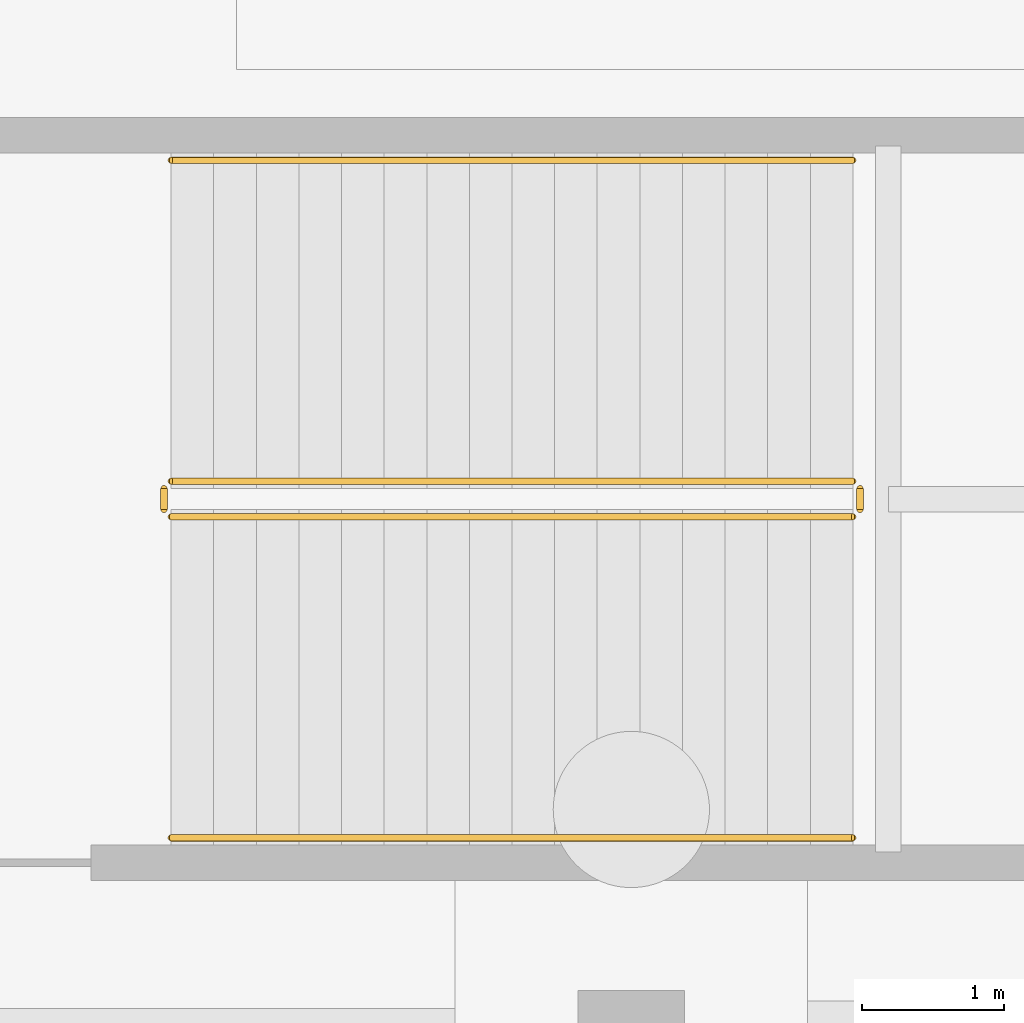
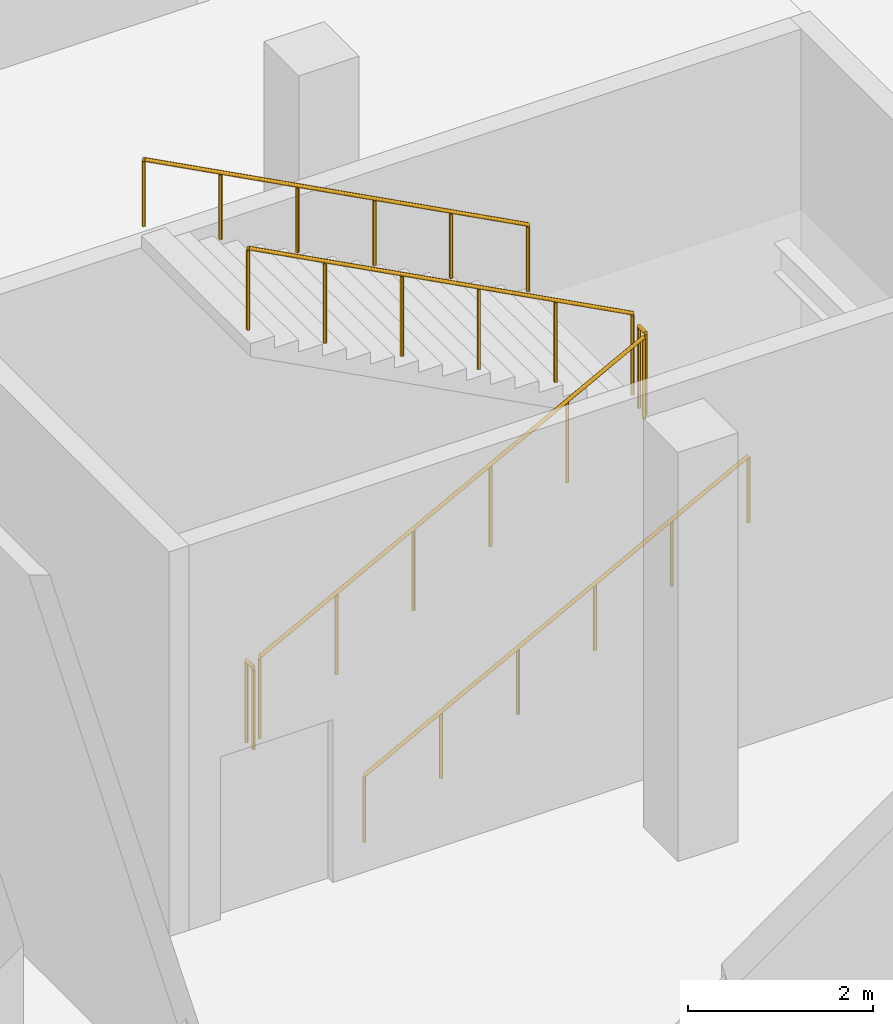
# One storey, part 84 of 89: 6 railings.
"""IFC4 building model written with IfcOpenShell, lengths in metres."""

from ifc_helpers import new_model, si_unit, direction, frame, origin, origin_2d, place, context, subcontext, project, spatial, circle, extrude, material, type_object, element, save


model = new_model("IFC4")

# Units and contexts
model_context = context("Model", 3, precision=1e-05, world=origin(), true_north=direction((0.0, 1.0)))
body_context = subcontext(model_context, "Body", "Model", "MODEL_VIEW")
ifc_project = project(units=[si_unit("LENGTHUNIT", "METRE"), si_unit("AREAUNIT", "SQUARE_METRE"), si_unit("VOLUMEUNIT", "CUBIC_METRE"), si_unit("PLANEANGLEUNIT", "RADIAN"), si_unit("MASSUNIT", "GRAM", prefix="KILO")], contexts=[model_context])

# Site, building, storey
site_placement = place(None, origin())
site = spatial("IfcSite", under=ifc_project, at=site_placement, CompositionType="ELEMENT")
building_placement = place(site_placement, origin())
building = spatial("IfcBuilding", under=site, at=building_placement, Name="Koshinbarg Plaza Stadium", CompositionType="ELEMENT")
storey_placement = place(building_placement, origin())
storey = spatial("IfcBuildingStorey", under=building, at=storey_placement, Name="L00", CompositionType="ELEMENT", Elevation=0.0)

# Railings
ifc_material_1 = material(Name="Galvanized painted steel guardrail", Category="steel")
railing_type_1 = type_object("IfcRailingType", Name="RL-GUARD-1100", PredefinedType="GUARDRAIL", material=ifc_material_1)
railing_1_placement = place(storey_placement, frame((60.360107421875, 139.31005859375, 0.158935546875)))
element("IfcRailing", 1, at=railing_1_placement, inside=storey, type_object=railing_type_1, Name="L00 C11 stair guard 1", PredefinedType="GUARDRAIL", context=body_context, shape_type="SweptSolid", body=[
    extrude(circle(Radius=0.02392578125, at=origin_2d()), frame((0.0, 0.0, 1.076171875), z_axis=(0.883792290195, 0.0, 0.467879458614), x_axis=(0.0, 1.0, 0.0)), (0.0, 0.0, 1.0), 5.430908203125),
    extrude(circle(Radius=0.02099609375, at=origin_2d()), origin(), (0.0, 0.0, 1.0), 1.052001953125),
    extrude(circle(Radius=0.02099609375, at=origin_2d()), frame((0.9599609375, 0.0, 0.50830078125)), (0.0, 0.0, 1.0), 1.052001953125),
    extrude(circle(Radius=0.02099609375, at=origin_2d()), frame((1.919921875, 0.0, 1.016357421875)), (0.0, 0.0, 1.0), 1.052001953125),
    extrude(circle(Radius=0.02099609375, at=origin_2d()), frame((2.8798828125, 0.0, 1.524658203125)), (0.0, 0.0, 1.0), 1.052001953125),
    extrude(circle(Radius=0.02099609375, at=origin_2d()), frame((3.83984375, 0.0, 2.03271484375)), (0.0, 0.0, 1.0), 1.052001953125),
    extrude(circle(Radius=0.02099609375, at=origin_2d()), frame((4.7998046875, 0.0, 2.541015625)), (0.0, 0.0, 1.0), 1.052001953125),
])
railing_2_placement = place(storey_placement, frame((65.2099609375, 139.360107421875, 2.699951171875)))
element("IfcRailing", 2, at=railing_2_placement, inside=storey, type_object=railing_type_1, Name="L00 C11 stair guard 2", PredefinedType="GUARDRAIL", context=body_context, shape_type="SweptSolid", body=[
    extrude(circle(Radius=0.02392578125, at=origin_2d()), frame((0.0, 0.0, 1.076171875), z_axis=(0.0, 1.0, 0.0), x_axis=(-1.0, 0.0, 0.0)), (0.0, 0.0, 1.0), 0.14990234375),
    extrude(circle(Radius=0.02099609375, at=origin_2d()), origin(), (0.0, 0.0, 1.0), 1.052001953125),
    extrude(circle(Radius=0.02099609375, at=origin_2d()), frame((0.0, 0.14990234375, 0.0)), (0.0, 0.0, 1.0), 1.052001953125),
])
railing_3_placement = place(storey_placement, frame((65.159912109375, 139.56005859375, 2.85888671875)))
element("IfcRailing", 3, at=railing_3_placement, inside=storey, type_object=railing_type_1, Name="L00 C11 stair guard 3", PredefinedType="GUARDRAIL", context=body_context, shape_type="SweptSolid", body=[
    extrude(circle(Radius=0.02392578125, at=origin_2d()), frame((0.0, 0.0, 1.076171875), z_axis=(-0.883792290195, 0.0, 0.467879458614), x_axis=(0.0, -1.0, 0.0)), (0.0, 0.0, 1.0), 5.430908203125),
    extrude(circle(Radius=0.02099609375, at=origin_2d()), origin(), (0.0, 0.0, 1.0), 1.052001953125),
    extrude(circle(Radius=0.02099609375, at=origin_2d()), frame((-0.9599609375, 0.0, 0.50830078125)), (0.0, 0.0, 1.0), 1.052001953125),
    extrude(circle(Radius=0.02099609375, at=origin_2d()), frame((-1.919921875, 0.0, 1.016357421875)), (0.0, 0.0, 1.0), 1.052001953125),
    extrude(circle(Radius=0.02099609375, at=origin_2d()), frame((-2.8798828125, 0.0, 1.524658203125)), (0.0, 0.0, 1.0), 1.052001953125),
    extrude(circle(Radius=0.02099609375, at=origin_2d()), frame((-3.83984375, 0.0, 2.03271484375)), (0.0, 0.0, 1.0), 1.052001953125),
    extrude(circle(Radius=0.02099609375, at=origin_2d()), frame((-4.7998046875, 0.0, 2.541015625)), (0.0, 0.0, 1.0), 1.052001953125),
])
railing_4_placement = place(storey_placement, frame((60.31005859375, 139.360107421875, 0.0)))
element("IfcRailing", 4, at=railing_4_placement, inside=storey, type_object=railing_type_1, Name="L00 C11 stair guard 4", PredefinedType="GUARDRAIL", context=body_context, shape_type="SweptSolid", body=[
    extrude(circle(Radius=0.02392578125, at=origin_2d()), frame((0.0, 0.0, 1.076171875), z_axis=(0.0, 1.0, 0.0), x_axis=(-1.0, 0.0, 0.0)), (0.0, 0.0, 1.0), 0.14990234375),
    extrude(circle(Radius=0.02099609375, at=origin_2d()), origin(), (0.0, 0.0, 1.0), 1.052001953125),
    extrude(circle(Radius=0.02099609375, at=origin_2d()), frame((0.0, 0.14990234375, 0.0)), (0.0, 0.0, 1.0), 1.052001953125),
])
ifc_material_2 = material(Name="Brushed stainless steel handrail", Category="steel")
railing_type_2 = type_object("IfcRailingType", Name="RL-HAND-900", PredefinedType="HANDRAIL", material=ifc_material_2)
railing_5_placement = place(storey_placement, frame((60.360107421875, 137.050048828125, 0.158935546875)))
element("IfcRailing", 5, at=railing_5_placement, inside=storey, type_object=railing_type_2, Name="L00 C11 stair handrail 1", PredefinedType="HANDRAIL", context=body_context, shape_type="SweptSolid", body=[
    extrude(circle(Radius=0.02392578125, at=origin_2d()), frame((0.0, 0.0, 0.8759765625), z_axis=(0.883792290195, 0.0, 0.467879458614), x_axis=(0.0, 1.0, 0.0)), (0.0, 0.0, 1.0), 5.430908203125),
    extrude(circle(Radius=0.02099609375, at=origin_2d()), origin(), (0.0, 0.0, 1.0), 0.851806640625),
    extrude(circle(Radius=0.02099609375, at=origin_2d()), frame((0.9599609375, 0.0, 0.50830078125)), (0.0, 0.0, 1.0), 0.851806640625),
    extrude(circle(Radius=0.02099609375, at=origin_2d()), frame((1.919921875, 0.0, 1.016357421875)), (0.0, 0.0, 1.0), 0.851806640625),
    extrude(circle(Radius=0.02099609375, at=origin_2d()), frame((2.8798828125, 0.0, 1.524658203125)), (0.0, 0.0, 1.0), 0.851806640625),
    extrude(circle(Radius=0.02099609375, at=origin_2d()), frame((3.83984375, 0.0, 2.03271484375)), (0.0, 0.0, 1.0), 0.851806640625),
    extrude(circle(Radius=0.02099609375, at=origin_2d()), frame((4.7998046875, 0.0, 2.541015625)), (0.0, 0.0, 1.0), 0.851806640625),
])
railing_6_placement = place(storey_placement, frame((65.159912109375, 141.820068359375, 2.85888671875)))
element("IfcRailing", 6, at=railing_6_placement, inside=storey, type_object=railing_type_2, Name="L00 C11 stair handrail 2", PredefinedType="HANDRAIL", context=body_context, shape_type="SweptSolid", body=[
    extrude(circle(Radius=0.02392578125, at=origin_2d()), frame((0.0, 0.0, 0.8759765625), z_axis=(-0.883792290195, 0.0, 0.467879458614), x_axis=(0.0, -1.0, 0.0)), (0.0, 0.0, 1.0), 5.430908203125),
    extrude(circle(Radius=0.02099609375, at=origin_2d()), origin(), (0.0, 0.0, 1.0), 0.851806640625),
    extrude(circle(Radius=0.02099609375, at=origin_2d()), frame((-0.9599609375, 0.0, 0.50830078125)), (0.0, 0.0, 1.0), 0.851806640625),
    extrude(circle(Radius=0.02099609375, at=origin_2d()), frame((-1.919921875, 0.0, 1.016357421875)), (0.0, 0.0, 1.0), 0.851806640625),
    extrude(circle(Radius=0.02099609375, at=origin_2d()), frame((-2.8798828125, 0.0, 1.524658203125)), (0.0, 0.0, 1.0), 0.851806640625),
    extrude(circle(Radius=0.02099609375, at=origin_2d()), frame((-3.83984375, 0.0, 2.03271484375)), (0.0, 0.0, 1.0), 0.851806640625),
    extrude(circle(Radius=0.02099609375, at=origin_2d()), frame((-4.7998046875, 0.0, 2.541015625)), (0.0, 0.0, 1.0), 0.851806640625),
])

save(model, "model.ifc")
